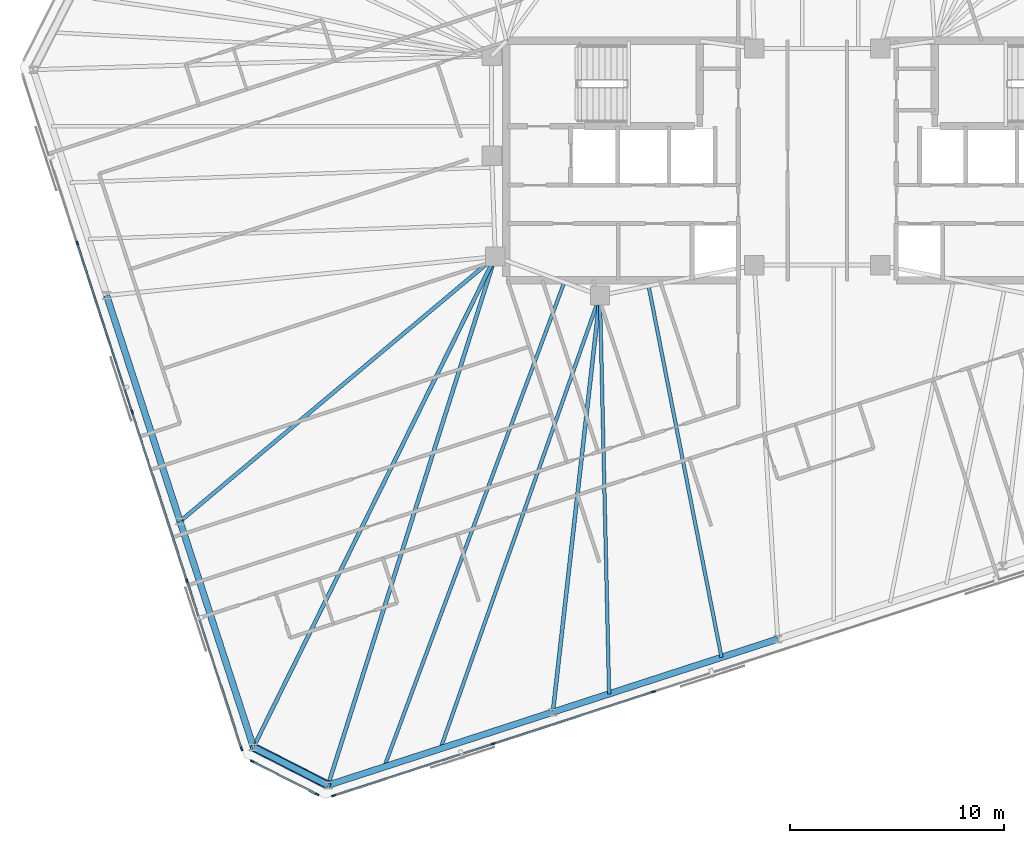
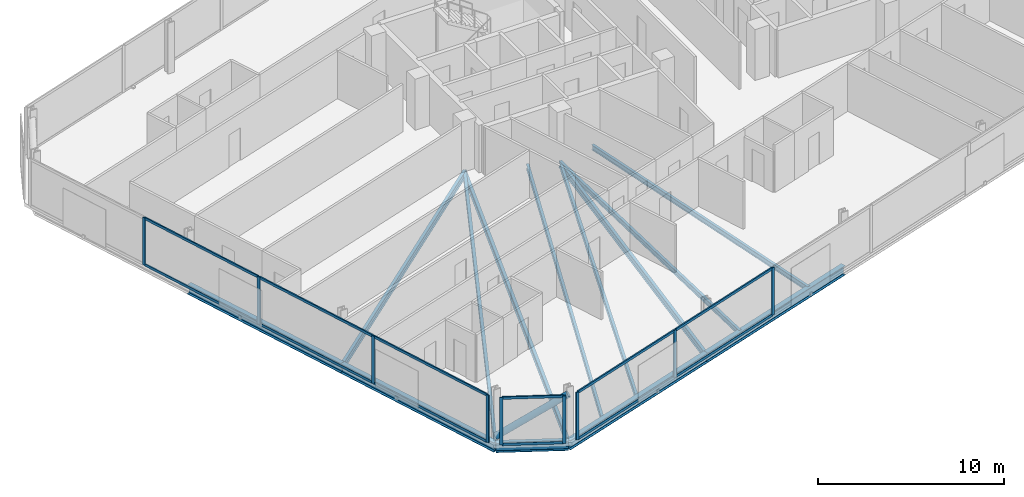
# One storey, part 5 of 19: 22 members, 13 beams, 3 elements without a shape of their own.
"""IFC4 building model written with IfcOpenShell, lengths in metres."""

from ifc_helpers import new_model, si_unit, direction, frame, origin, origin_2d, place, context, subcontext, project, spatial, rectangle, hollow_circle, i_section, extrude, material, material_profile, profile_set, type_object, element, aggregate, save


model = new_model("IFC4")

# Units and contexts
model_context = context("Model", 3, precision=1e-05, world=origin(), true_north=direction((0.0, 1.0)))
body_context = subcontext(model_context, "Body", "Model", "MODEL_VIEW")
ifc_project = project(units=[si_unit("LENGTHUNIT", "METRE"), si_unit("AREAUNIT", "SQUARE_METRE"), si_unit("VOLUMEUNIT", "CUBIC_METRE"), si_unit("PLANEANGLEUNIT", "RADIAN"), si_unit("MASSUNIT", "GRAM", prefix="KILO")], contexts=[model_context])

# Site, building, storey
site_placement = place(None, origin())
site = spatial("IfcSite", under=ifc_project, at=site_placement, CompositionType="ELEMENT")
building_placement = place(site_placement, origin())
building = spatial("IfcBuilding", under=site, at=building_placement, Name="Menara Jurai Vektor", CompositionType="ELEMENT")
storey_placement = place(building_placement, frame((0.0, 0.0, 214.25)))
storey = spatial("IfcBuildingStorey", under=building, at=storey_placement, Name="L56", CompositionType="ELEMENT", Elevation=214.25)

# Curtain wall, members
ifc_material_1 = material(Name="Anodised Pale Aluminium & Low-E Double Glazing", Category="aluminium")
curtain_wall_type = type_object("IfcCurtainWallType", Name="CW-BLK4", PredefinedType="NOTDEFINED", material=ifc_material_1)
curtain_wall_1_placement = place(storey_placement, origin())
curtain_wall_1 = element("IfcCurtainWall", 1, at=curtain_wall_1_placement, inside=storey, type_object=curtain_wall_type, Name="Unitised Curtain Wall L56 F01", PredefinedType="NOTDEFINED")
ifc_material_2 = material(Name="Anodised Pale Aluminium Mullion", Category="aluminium")
ifc_material_profile_1 = material_profile(ifc_material_2, rectangle(XDim=0.080078125, YDim=0.18994140625, at=origin_2d()), Name="ALU MUL 80x190")
ifc_profile_set_1 = profile_set([ifc_material_profile_1], Name="Anodised Pale Aluminium Mullion")
member_type_1 = type_object("IfcMemberType", Name="CW-BLK4-MUL", PredefinedType="MULLION", material=ifc_profile_set_1)
member_1_placement = place(storey_placement, frame((-22.649658203125, -29.743896484375, 0.0), z_axis=(0.0, 0.0, 1.0), x_axis=(-0.309017344167, 0.951056402641, 0.0)))
member_1 = element("IfcMember", 2, at=member_1_placement, type_object=member_type_1, Name="CW-04 mullion 1", PredefinedType="MULLION", context=body_context, shape_type="SweptSolid", body=[
    extrude(rectangle(XDim=0.080078125, YDim=0.18994140625, at=origin_2d()), origin(), (0.0, 0.0, 1.0), 3.125),
])
member_2_placement = place(storey_placement, frame((-15.1826171875, -27.317626953125, 0.0), z_axis=(0.0, 0.0, 1.0), x_axis=(-0.309017344167, 0.951056402641, 0.0)))
member_2 = element("IfcMember", 3, at=member_2_placement, type_object=member_type_1, Name="CW-04 mullion 2", PredefinedType="MULLION", context=body_context, shape_type="SweptSolid", body=[
    extrude(rectangle(XDim=0.080078125, YDim=0.18994140625, at=origin_2d()), origin(), (0.0, 0.0, 1.0), 3.125),
])
member_3_placement = place(storey_placement, frame((-7.677490234375, -24.879150390625, 0.0), z_axis=(0.0, 0.0, 1.0), x_axis=(-0.309017344167, 0.951056402641, 0.0)))
member_3 = element("IfcMember", 4, at=member_3_placement, type_object=member_type_1, Name="CW-04 mullion 3", PredefinedType="MULLION", context=body_context, shape_type="SweptSolid", body=[
    extrude(rectangle(XDim=0.080078125, YDim=0.18994140625, at=origin_2d()), origin(), (0.0, 0.0, 1.0), 3.125),
])

curtain_wall_2_placement = place(storey_placement, origin())
curtain_wall_2 = element("IfcCurtainWall", 5, at=curtain_wall_2_placement, inside=storey, type_object=curtain_wall_type, Name="Unitised Curtain Wall L56 F07", PredefinedType="NOTDEFINED")
member_4_placement = place(storey_placement, frame((-34.650634765625, -3.876220703125, 0.0), z_axis=(0.0, 0.0, 1.0), x_axis=(0.95105668295, 0.309016481464, 0.0)))
member_4 = element("IfcMember", 6, at=member_4_placement, type_object=member_type_1, Name="CW-04 mullion 2", PredefinedType="MULLION", context=body_context, shape_type="SweptSolid", body=[
    extrude(rectangle(XDim=0.080078125, YDim=0.18994140625, at=origin_2d()), origin(), (0.0, 0.0, 1.0), 3.125),
])
member_5_placement = place(storey_placement, frame((-32.082763671875, -11.779541015625, 0.0), z_axis=(0.0, 0.0, 1.0), x_axis=(0.95105668295, 0.309016481464, 0.0)))
member_5 = element("IfcMember", 7, at=member_5_placement, type_object=member_type_1, Name="CW-04 mullion 3", PredefinedType="MULLION", context=body_context, shape_type="SweptSolid", body=[
    extrude(rectangle(XDim=0.080078125, YDim=0.18994140625, at=origin_2d()), origin(), (0.0, 0.0, 1.0), 3.125),
])
member_6_placement = place(storey_placement, frame((-29.514892578125, -19.682861328125, 0.0), z_axis=(0.0, 0.0, 1.0), x_axis=(0.95105668295, 0.309016481464, 0.0)))
member_6 = element("IfcMember", 8, at=member_6_placement, type_object=member_type_1, Name="CW-04 mullion 4", PredefinedType="MULLION", context=body_context, shape_type="SweptSolid", body=[
    extrude(rectangle(XDim=0.080078125, YDim=0.18994140625, at=origin_2d()), origin(), (0.0, 0.0, 1.0), 3.125),
])
member_7_placement = place(storey_placement, frame((-26.959228515625, -27.548095703125, 0.0), z_axis=(0.0, 0.0, 1.0), x_axis=(0.95105668295, 0.309016481464, 0.0)))
member_7 = element("IfcMember", 9, at=member_7_placement, type_object=member_type_1, Name="CW-04 mullion 5", PredefinedType="MULLION", context=body_context, shape_type="SweptSolid", body=[
    extrude(rectangle(XDim=0.080078125, YDim=0.18994140625, at=origin_2d()), origin(), (0.0, 0.0, 1.0), 3.125),
])

curtain_wall_3_placement = place(storey_placement, origin())
curtain_wall_3 = element("IfcCurtainWall", 10, at=curtain_wall_3_placement, inside=storey, type_object=curtain_wall_type, Name="Unitised Curtain Wall L56 F08", PredefinedType="NOTDEFINED")
member_8_placement = place(storey_placement, frame((-26.455322265625, -28.13818359375, 0.0), z_axis=(0.0, 0.0, 1.0), x_axis=(0.453988579828, 0.89100750243, 0.0)))
member_8 = element("IfcMember", 11, at=member_8_placement, type_object=member_type_1, Name="CW-04 mullion 1", PredefinedType="MULLION", context=body_context, shape_type="SweptSolid", body=[
    extrude(rectangle(XDim=0.080078125, YDim=0.18994140625, at=origin_2d()), origin(), (0.0, 0.0, 1.0), 3.125),
])
member_9_placement = place(storey_placement, frame((-23.42333984375, -29.682861328125, 0.0), z_axis=(0.0, 0.0, 1.0), x_axis=(0.453988579828, 0.89100750243, 0.0)))
member_9 = element("IfcMember", 12, at=member_9_placement, type_object=member_type_1, Name="CW-04 mullion 2", PredefinedType="MULLION", context=body_context, shape_type="SweptSolid", body=[
    extrude(rectangle(XDim=0.080078125, YDim=0.18994140625, at=origin_2d()), origin(), (0.0, 0.0, 1.0), 3.125),
])

# Member
ifc_material_3 = material(Name="Anodised Pale Aluminium Transom", Category="aluminium")
ifc_material_profile_2 = material_profile(ifc_material_3, rectangle(XDim=0.080078125, YDim=0.1650390625, at=origin_2d()), Name="ALU TRN 80x165")
ifc_profile_set_2 = profile_set([ifc_material_profile_2], Name="Anodised Pale Aluminium Transom")
member_type_2 = type_object("IfcMemberType", Name="CW-BLK4-TRN", PredefinedType="USERDEFINED", material=ifc_profile_set_2)
member_10_placement = place(storey_placement, frame((-22.61181640625, -29.7314453125, 0.0400390625), z_axis=(0.951062230089, 0.308999408573, 0.0), x_axis=(-0.308999408573, 0.951062230089, 0.0)))
member_10 = element("IfcMember", 13, at=member_10_placement, type_object=member_type_2, Name="CW-04 transom 1.1", ObjectType="TRANSOM", PredefinedType="USERDEFINED", context=body_context, shape_type="SweptSolid", body=[
    extrude(rectangle(XDim=0.080078125, YDim=0.1650390625, at=origin_2d()), origin(), (0.0, 0.0, 1.0), 7.771484375),
])

member_11_placement = place(storey_placement, frame((-22.61181640625, -29.7314453125, 3.0849609375), z_axis=(0.951062230089, 0.308999408573, 0.0), x_axis=(-0.308999408573, 0.951062230089, 0.0)))
member_11 = element("IfcMember", 14, at=member_11_placement, type_object=member_type_2, Name="CW-04 transom 1.2", ObjectType="TRANSOM", PredefinedType="USERDEFINED", context=body_context, shape_type="SweptSolid", body=[
    extrude(rectangle(XDim=0.080078125, YDim=0.1650390625, at=origin_2d()), origin(), (0.0, 0.0, 1.0), 7.771484375),
])

member_12_placement = place(storey_placement, frame((-15.14453125, -27.30517578125, 0.0400390625), z_axis=(0.95105634578, 0.309017519167, 0.0), x_axis=(-0.309017519167, 0.95105634578, 0.0)))
member_12 = element("IfcMember", 15, at=member_12_placement, type_object=member_type_2, Name="CW-04 transom 2.1", ObjectType="TRANSOM", PredefinedType="USERDEFINED", context=body_context, shape_type="SweptSolid", body=[
    extrude(rectangle(XDim=0.080078125, YDim=0.1650390625, at=origin_2d()), origin(), (0.0, 0.0, 1.0), 7.811279296875),
])

member_13_placement = place(storey_placement, frame((-15.14453125, -27.30517578125, 3.0849609375), z_axis=(0.95105634578, 0.309017519167, 0.0), x_axis=(-0.309017519167, 0.95105634578, 0.0)))
member_13 = element("IfcMember", 16, at=member_13_placement, type_object=member_type_2, Name="CW-04 transom 2.2", ObjectType="TRANSOM", PredefinedType="USERDEFINED", context=body_context, shape_type="SweptSolid", body=[
    extrude(rectangle(XDim=0.080078125, YDim=0.1650390625, at=origin_2d()), origin(), (0.0, 0.0, 1.0), 7.811279296875),
])

aggregate(curtain_wall_1, [member_1, member_2, member_3, member_10, member_11, member_12, member_13])

member_14_placement = place(storey_placement, frame((-34.638427734375, -3.914306640625, 0.0400390625), z_axis=(0.309018994408, -0.951055866443, 0.0), x_axis=(0.951055866443, 0.309018994408, 0.0)))
member_14 = element("IfcMember", 17, at=member_14_placement, type_object=member_type_2, Name="CW-04 transom 2.1", ObjectType="TRANSOM", PredefinedType="USERDEFINED", context=body_context, shape_type="SweptSolid", body=[
    extrude(rectangle(XDim=0.080078125, YDim=0.1650390625, at=origin_2d()), origin(), (0.0, 0.0, 1.0), 8.22998046875),
])

member_15_placement = place(storey_placement, frame((-34.638427734375, -3.914306640625, 3.0849609375), z_axis=(0.309018994408, -0.951055866443, 0.0), x_axis=(0.951055866443, 0.309018994408, 0.0)))
member_15 = element("IfcMember", 18, at=member_15_placement, type_object=member_type_2, Name="CW-04 transom 2.2", ObjectType="TRANSOM", PredefinedType="USERDEFINED", context=body_context, shape_type="SweptSolid", body=[
    extrude(rectangle(XDim=0.080078125, YDim=0.1650390625, at=origin_2d()), origin(), (0.0, 0.0, 1.0), 8.22998046875),
])

member_16_placement = place(storey_placement, frame((-32.0703125, -11.817626953125, 0.0400390625), z_axis=(0.309018994408, -0.951055866443, 0.0), x_axis=(0.951055866443, 0.309018994408, 0.0)))
member_16 = element("IfcMember", 19, at=member_16_placement, type_object=member_type_2, Name="CW-04 transom 3.1", ObjectType="TRANSOM", PredefinedType="USERDEFINED", context=body_context, shape_type="SweptSolid", body=[
    extrude(rectangle(XDim=0.080078125, YDim=0.1650390625, at=origin_2d()), origin(), (0.0, 0.0, 1.0), 8.22998046875),
])

member_17_placement = place(storey_placement, frame((-32.0703125, -11.817626953125, 3.0849609375), z_axis=(0.309018994408, -0.951055866443, 0.0), x_axis=(0.951055866443, 0.309018994408, 0.0)))
member_17 = element("IfcMember", 20, at=member_17_placement, type_object=member_type_2, Name="CW-04 transom 3.2", ObjectType="TRANSOM", PredefinedType="USERDEFINED", context=body_context, shape_type="SweptSolid", body=[
    extrude(rectangle(XDim=0.080078125, YDim=0.1650390625, at=origin_2d()), origin(), (0.0, 0.0, 1.0), 8.22998046875),
])

member_18_placement = place(storey_placement, frame((-29.50244140625, -19.720947265625, 0.0400390625), z_axis=(0.309010577384, -0.951058601278, 0.0), x_axis=(0.951058601278, 0.309010577384, 0.0)))
member_18 = element("IfcMember", 21, at=member_18_placement, type_object=member_type_2, Name="CW-04 transom 4.1", ObjectType="TRANSOM", PredefinedType="USERDEFINED", context=body_context, shape_type="SweptSolid", body=[
    extrude(rectangle(XDim=0.080078125, YDim=0.1650390625, at=origin_2d()), origin(), (0.0, 0.0, 1.0), 8.18994140625),
])

member_19_placement = place(storey_placement, frame((-29.50244140625, -19.720947265625, 3.0849609375), z_axis=(0.309010577384, -0.951058601278, 0.0), x_axis=(0.951058601278, 0.309010577384, 0.0)))
member_19 = element("IfcMember", 22, at=member_19_placement, type_object=member_type_2, Name="CW-04 transom 4.2", ObjectType="TRANSOM", PredefinedType="USERDEFINED", context=body_context, shape_type="SweptSolid", body=[
    extrude(rectangle(XDim=0.080078125, YDim=0.1650390625, at=origin_2d()), origin(), (0.0, 0.0, 1.0), 8.18994140625),
])

aggregate(curtain_wall_2, [member_4, member_5, member_6, member_7, member_14, member_15, member_16, member_17, member_18, member_19])

member_20_placement = place(storey_placement, frame((-26.419677734375, -28.15625, 0.0400390625), z_axis=(0.89100697374, -0.453989617444, 0.0), x_axis=(0.453989617444, 0.89100697374, 0.0)))
member_20 = element("IfcMember", 23, at=member_20_placement, type_object=member_type_2, Name="CW-04 transom 1.1", ObjectType="TRANSOM", PredefinedType="USERDEFINED", context=body_context, shape_type="SweptSolid", body=[
    extrude(rectangle(XDim=0.080078125, YDim=0.1650390625, at=origin_2d()), origin(), (0.0, 0.0, 1.0), 3.32275390625),
])

member_21_placement = place(storey_placement, frame((-26.419677734375, -28.15625, 3.0849609375), z_axis=(0.89100697374, -0.453989617444, 0.0), x_axis=(0.453989617444, 0.89100697374, 0.0)))
member_21 = element("IfcMember", 24, at=member_21_placement, type_object=member_type_2, Name="CW-04 transom 1.2", ObjectType="TRANSOM", PredefinedType="USERDEFINED", context=body_context, shape_type="SweptSolid", body=[
    extrude(rectangle(XDim=0.080078125, YDim=0.1650390625, at=origin_2d()), origin(), (0.0, 0.0, 1.0), 3.32275390625),
])

aggregate(curtain_wall_3, [member_8, member_9, member_20, member_21])

# Beams
ifc_material_4 = material(Name="Steel S355", Category="steel")
ifc_material_profile_3 = material_profile(ifc_material_4, i_section(OverallWidth=0.18505859375, OverallDepth=0.429931640625, WebThickness=0.010986328125, FlangeThickness=0.01806640625, at=origin_2d()), Name="PG 430x185x76")
ifc_profile_set_3 = profile_set([ifc_material_profile_3], Name="Steel S355")
beam_type_1 = type_object("IfcBeamType", Name="STR-BM-430", PredefinedType="BEAM", material=ifc_profile_set_3)
beam_1_placement = place(storey_placement, frame((-22.912841796875, -29.2509765625, -0.43994140625), z_axis=(0.301715059084, 0.953398145122, 0.0), x_axis=(-0.953398145122, 0.301715059084, 0.0)))
element("IfcBeam", 25, at=beam_1_placement, inside=storey, type_object=beam_type_1, Name="Radial Floor Girder L56-S1", PredefinedType="BEAM", context=body_context, shape_type="SweptSolid", body=[
    extrude(i_section(OverallWidth=0.18505859375, OverallDepth=0.429931640625, WebThickness=0.010986328125, FlangeThickness=0.01806640625, at=origin_2d()), origin(), (0.0, 0.0, 1.0), 25.960693359375),
])
beam_2_placement = place(storey_placement, frame((-12.383544921875, -25.829833984375, -0.43994140625), z_axis=(0.112235588534, 0.993681625404, 0.0), x_axis=(-0.993681625404, 0.112235588534, 0.0)))
element("IfcBeam", 26, at=beam_2_placement, inside=storey, type_object=beam_type_1, Name="Radial Floor Girder L56-S2", PredefinedType="BEAM", context=body_context, shape_type="SweptSolid", body=[
    extrude(i_section(OverallWidth=0.18505859375, OverallDepth=0.429931640625, WebThickness=0.010986328125, FlangeThickness=0.01806640625, at=origin_2d()), origin(), (0.0, 0.0, 1.0), 19.6337890625),
])
beam_3_placement = place(storey_placement, frame((-29.841796875, -16.896728515625, -0.43994140625), z_axis=(0.765784449649, 0.64309733064, 0.0), x_axis=(-0.64309733064, 0.765784449649, 0.0)))
element("IfcBeam", 27, at=beam_3_placement, inside=storey, type_object=beam_type_1, Name="Radial Floor Girder L56-W3", PredefinedType="BEAM", context=body_context, shape_type="SweptSolid", body=[
    extrude(i_section(OverallWidth=0.18505859375, OverallDepth=0.429931640625, WebThickness=0.010986328125, FlangeThickness=0.01806640625, at=origin_2d()), origin(), (0.0, 0.0, 1.0), 19.276611328125),
])
beam_4_placement = place(storey_placement, frame((-26.406005859375, -27.47119140625, -0.43994140625), z_axis=(0.442219272094, 0.896906971424, 0.0), x_axis=(-0.896906971424, 0.442219272094, 0.0)))
element("IfcBeam", 28, at=beam_4_placement, inside=storey, type_object=beam_type_1, Name="Radial Floor Girder L56-W4", PredefinedType="BEAM", context=body_context, shape_type="SweptSolid", body=[
    extrude(i_section(OverallWidth=0.18505859375, OverallDepth=0.429931640625, WebThickness=0.010986328125, FlangeThickness=0.01806640625, at=origin_2d()), origin(), (0.0, 0.0, 1.0), 25.611572265625),
])

# Member
ifc_material_5 = material(Name="Steel S460", Category="steel")
ifc_material_profile_4 = material_profile(ifc_material_5, hollow_circle(Radius=0.203125, WallThickness=0.01611328125, at=origin_2d()), Name="CHS 406.4x16")
ifc_profile_set_4 = profile_set([ifc_material_profile_4], Name="Steel S460")
member_type_3 = type_object("IfcMemberType", Name="STR-BR-406", PredefinedType="BRACE", material=ifc_profile_set_4)
member_22_placement = place(storey_placement, frame((-26.406005859375, -27.47119140625, 0.14990234375), z_axis=(0.740375367811, -0.377225079071, 0.556368182465), x_axis=(0.453976155955, 0.891013832566, 0.0)))
element("IfcMember", 29, at=member_22_placement, inside=storey, type_object=member_type_3, Name="Exoskeleton Corner Brace L56-4", PredefinedType="BRACE", context=body_context, shape_type="SweptSolid", body=[
    extrude(hollow_circle(Radius=0.203125, WallThickness=0.01611328125, at=origin_2d()), origin(), (0.0, 0.0, 1.0), 4.718017578125),
])

# Beams
ifc_material_profile_5 = material_profile(ifc_material_4, i_section(OverallWidth=0.1650390625, OverallDepth=0.330078125, WebThickness=0.009033203125, FlangeThickness=0.013916015625, at=origin_2d()), Name="PG 330x165x46")
ifc_profile_set_5 = profile_set([ifc_material_profile_5], Name="Steel S355")
beam_type_2 = type_object("IfcBeamType", Name="STR-JS-330", PredefinedType="JOIST", material=ifc_profile_set_5)
beam_5_placement = place(storey_placement, frame((-20.280517578125, -28.395751953125, -0.389892578125), z_axis=(0.348182225555, 0.937426870645, 0.0), x_axis=(-0.937426870645, 0.348182225555, 0.0)))
element("IfcBeam", 30, at=beam_5_placement, inside=storey, type_object=beam_type_2, Name="Radial Secondary Floor Joist L56-JS01", PredefinedType="JOIST", context=body_context, shape_type="SweptSolid", body=[
    extrude(i_section(OverallWidth=0.1650390625, OverallDepth=0.330078125, WebThickness=0.009033203125, FlangeThickness=0.013916015625, at=origin_2d()), origin(), (0.0, 0.0, 1.0), 24.211181640625),
])
beam_6_placement = place(storey_placement, frame((-17.648193359375, -27.540283203125, -0.389892578125), z_axis=(0.331980963321, 0.943286085974, 0.0), x_axis=(-0.943286085974, 0.331980963321, 0.0)))
element("IfcBeam", 31, at=beam_6_placement, inside=storey, type_object=beam_type_2, Name="Radial Secondary Floor Joist L56-JS02", PredefinedType="JOIST", context=body_context, shape_type="SweptSolid", body=[
    extrude(i_section(OverallWidth=0.1650390625, OverallDepth=0.330078125, WebThickness=0.009033203125, FlangeThickness=0.013916015625, at=origin_2d()), origin(), (0.0, 0.0, 1.0), 22.49609375),
])
beam_7_placement = place(storey_placement, frame((-9.751220703125, -24.974609375, -0.389892578125), z_axis=(-0.022975519442, 0.999736027913, 0.0), x_axis=(-0.999736027913, -0.022975519442, 0.0)))
element("IfcBeam", 32, at=beam_7_placement, inside=storey, type_object=beam_type_2, Name="Radial Secondary Floor Joist L56-JS03", PredefinedType="JOIST", context=body_context, shape_type="SweptSolid", body=[
    extrude(i_section(OverallWidth=0.1650390625, OverallDepth=0.330078125, WebThickness=0.009033203125, FlangeThickness=0.013916015625, at=origin_2d()), origin(), (0.0, 0.0, 1.0), 18.659423828125),
])
beam_8_placement = place(storey_placement, frame((-4.486572265625, -23.263916015625, -0.389892578125), z_axis=(-0.192724225092, 0.981252960792, 0.0), x_axis=(-0.981252960792, -0.192724225092, 0.0)))
element("IfcBeam", 33, at=beam_8_placement, inside=storey, type_object=beam_type_2, Name="Radial Secondary Floor Joist L56-JS04", PredefinedType="JOIST", context=body_context, shape_type="SweptSolid", body=[
    extrude(i_section(OverallWidth=0.1650390625, OverallDepth=0.330078125, WebThickness=0.009033203125, FlangeThickness=0.013916015625, at=origin_2d()), origin(), (0.0, 0.0, 1.0), 17.7236328125),
])
ifc_material_profile_6 = material_profile(ifc_material_4, i_section(OverallWidth=0.306884765625, OverallDepth=0.6201171875, WebThickness=0.013916015625, FlangeThickness=0.02392578125, FilletRadius=0.01708984375, at=origin_2d()), Name="UKB 610x305x179")
ifc_profile_set_6 = profile_set([ifc_material_profile_6], Name="Steel S355")
beam_type_3 = type_object("IfcBeamType", Name="STR-SP-610", PredefinedType="SPANDREL", material=ifc_profile_set_6)
for number, where, z_axis, x_axis, name in (
    (34, (-22.912841796875, -29.2509765625, -0.534912109375), (0.951057401967, 0.309014268544, 0.0), (-0.309014268544, 0.951057401967, 0.0), "Exoskeleton Spandrel Beam L56-01"),
    (35, (-12.383544921875, -25.829833984375, -0.534912109375), (0.951057401967, 0.309014268544, 0.0), (-0.309014268544, 0.951057401967, 0.0), "Exoskeleton Spandrel Beam L56-02"),
):
    element("IfcBeam", number, at=place(storey_placement, frame(where, z_axis=z_axis, x_axis=x_axis)), inside=storey, type_object=beam_type_3, Name=name, PredefinedType="SPANDREL", context=body_context, shape_type="SweptSolid", body=[
        extrude(i_section(OverallWidth=0.306884765625, OverallDepth=0.6201171875, WebThickness=0.013916015625, FlangeThickness=0.02392578125, FilletRadius=0.01708984375, at=origin_2d()), origin(), (0.0, 0.0, 1.0), 11.071044921875),
    ])
beam_9_placement = place(storey_placement, frame((-33.277587890625, -6.322509765625, -0.534912109375), z_axis=(0.309018545885, -0.951056012178, 0.0), x_axis=(0.951056012178, 0.309018545885, 0.0)))
element("IfcBeam", 36, at=beam_9_placement, inside=storey, type_object=beam_type_3, Name="Exoskeleton Spandrel Beam L56-18", PredefinedType="SPANDREL", context=body_context, shape_type="SweptSolid", body=[
    extrude(i_section(OverallWidth=0.306884765625, OverallDepth=0.6201171875, WebThickness=0.013916015625, FlangeThickness=0.02392578125, FilletRadius=0.01708984375, at=origin_2d()), origin(), (0.0, 0.0, 1.0), 11.118408203125),
])
beam_10_placement = place(storey_placement, frame((-29.841796875, -16.896728515625, -0.534912109375), z_axis=(0.309012092614, -0.95105810896, 0.0), x_axis=(0.95105810896, 0.309012092614, 0.0)))
element("IfcBeam", 37, at=beam_10_placement, inside=storey, type_object=beam_type_3, Name="Exoskeleton Spandrel Beam L56-19", PredefinedType="SPANDREL", context=body_context, shape_type="SweptSolid", body=[
    extrude(i_section(OverallWidth=0.306884765625, OverallDepth=0.6201171875, WebThickness=0.013916015625, FlangeThickness=0.02392578125, FilletRadius=0.01708984375, at=origin_2d()), origin(), (0.0, 0.0, 1.0), 11.11865234375),
])
beam_11_placement = place(storey_placement, frame((-26.406005859375, -27.47119140625, -0.534912109375), z_axis=(0.891013832566, -0.453976155955, 0.0), x_axis=(0.453976155955, 0.891013832566, 0.0)))
element("IfcBeam", 38, at=beam_11_placement, inside=storey, type_object=beam_type_3, Name="Exoskeleton Spandrel Beam L56-20", PredefinedType="SPANDREL", context=body_context, shape_type="SweptSolid", body=[
    extrude(i_section(OverallWidth=0.306884765625, OverallDepth=0.6201171875, WebThickness=0.013916015625, FlangeThickness=0.02392578125, FilletRadius=0.01708984375, at=origin_2d()), origin(), (0.0, 0.0, 1.0), 3.92041015625),
])

save(model, "model.ifc")
